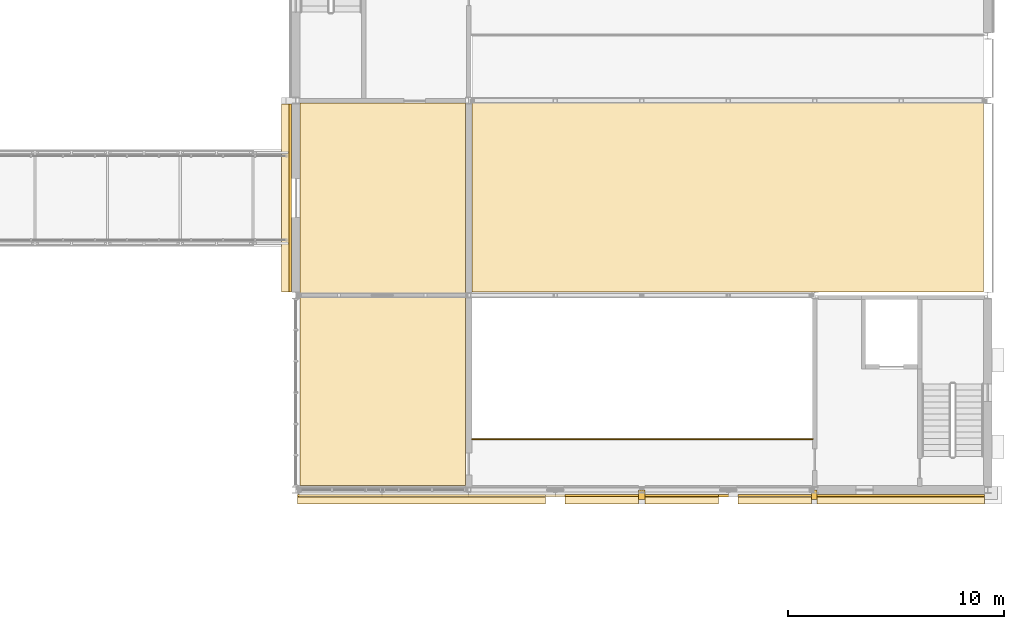
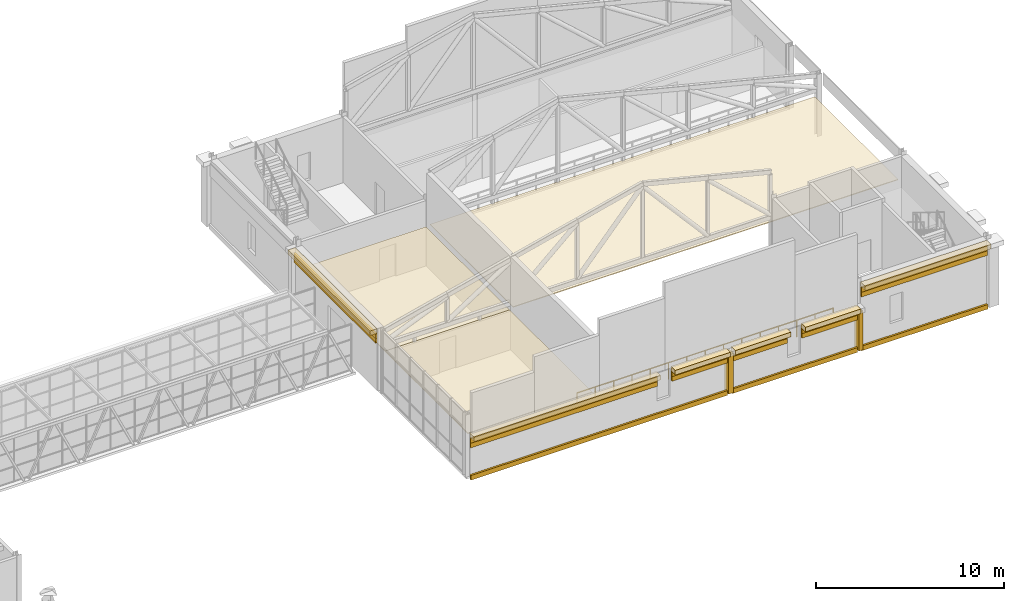
# One storey, part 144 of 149: 26 coverings, 1 railing.
"""IFC4 building model written with IfcOpenShell, lengths in metres."""

from ifc_helpers import new_model, si_unit, direction, frame, origin, origin_2d, place, context, subcontext, project, spatial, rectangle, circle, extrude, material, layer, layer_set, type_object, element, save


model = new_model("IFC4")

# Units and contexts
model_context = context("Model", 3, precision=1e-05, world=origin(), true_north=direction((0.0, 1.0)))
body_context = subcontext(model_context, "Body", "Model", "MODEL_VIEW")
ifc_project = project(units=[si_unit("LENGTHUNIT", "METRE"), si_unit("AREAUNIT", "SQUARE_METRE"), si_unit("VOLUMEUNIT", "CUBIC_METRE"), si_unit("PLANEANGLEUNIT", "RADIAN"), si_unit("MASSUNIT", "GRAM", prefix="KILO")], contexts=[model_context])

# Site, building, storey
site_placement = place(None, origin())
site = spatial("IfcSite", under=ifc_project, at=site_placement, CompositionType="ELEMENT")
building_placement = place(site_placement, origin())
building = spatial("IfcBuilding", under=site, at=building_placement, Name="Kallimachos Central Library", CompositionType="ELEMENT")
storey_placement = place(building_placement, frame((0.0, 0.0, 9.89990234375)))
storey = spatial("IfcBuildingStorey", under=building, at=storey_placement, Name="L02", CompositionType="ELEMENT", Elevation=9.89990234375)

# Coverings
ifc_material_1 = material(Name="Perforated plaster panel")
ifc_layer_1 = layer(ifc_material_1, 0.050048828125)
ifc_layer_set_1 = layer_set([ifc_layer_1], Name="Acoustic ceiling 50")
covering_type_1 = type_object("IfcCoveringType", Name="Acoustic ceiling 50", PredefinedType="CEILING", material=ifc_layer_set_1)
covering_1_placement = place(storey_placement, frame((157.97509765625, 100.574951171875, 2.5), z_axis=(0.0, 0.0, 1.0), x_axis=(1.0, 0.0, 0.0)))
element("IfcCovering", 1, at=covering_1_placement, inside=storey, type_object=covering_type_1, Name="Acoustic ceiling", PredefinedType="CEILING", context=body_context, shape_type="SweptSolid", body=[
    extrude(rectangle(XDim=23.64990234375, YDim=8.85009765625, at=origin_2d()), origin(), (0.0, 0.0, 1.0), 0.050048828125),
])
covering_2_placement = place(storey_placement, frame((142.02490234375, 91.60009765625, 2.5), z_axis=(0.0, 0.0, 1.0), x_axis=(1.0, 0.0, 0.0)))
element("IfcCovering", 2, at=covering_2_placement, inside=storey, type_object=covering_type_1, Name="Acoustic ceiling", PredefinedType="CEILING", context=body_context, shape_type="SweptSolid", body=[
    extrude(rectangle(XDim=7.64990234375, YDim=8.800048828125, at=origin_2d()), origin(), (0.0, 0.0, 1.0), 0.050048828125),
])
covering_3_placement = place(storey_placement, frame((142.02490234375, 100.449951171875, 2.5), z_axis=(0.0, 0.0, 1.0), x_axis=(1.0, 0.0, 0.0)))
element("IfcCovering", 3, at=covering_3_placement, inside=storey, type_object=covering_type_1, Name="Acoustic ceiling", PredefinedType="CEILING", context=body_context, shape_type="SweptSolid", body=[
    extrude(rectangle(XDim=7.64990234375, YDim=8.89990234375, at=origin_2d()), origin(), (0.0, 0.0, 1.0), 0.050048828125),
])

# Railing
ifc_material_2 = material(Name="Wrought iron")
railing_type = type_object("IfcRailingType", Name="Balcony guard 1100", PredefinedType="GUARDRAIL", material=ifc_material_2)
railing_placement = place(storey_placement, frame((146.14990234375, 89.35009765625, 0.0)))
element("IfcRailing", 4, at=railing_placement, inside=storey, type_object=railing_type, Name="Stage gallery guard L02", PredefinedType="GUARDRAIL", context=body_context, shape_type="SweptSolid", body=[
    extrude(circle(Radius=0.02392578125, at=origin_2d()), frame((0.0, 0.0, 1.076171875), z_axis=(1.0, 0.0, 0.0), x_axis=(0.0, 1.0, 0.0)), (0.0, 0.0, 1.0), 15.75),
    extrude(circle(Radius=0.02099609375, at=origin_2d()), origin(), (0.0, 0.0, 1.0), 1.052001953125),
    extrude(circle(Radius=0.02099609375, at=origin_2d()), frame((1.125, 0.0, 0.0)), (0.0, 0.0, 1.0), 1.052001953125),
    extrude(circle(Radius=0.02099609375, at=origin_2d()), frame((2.25, 0.0, 0.0)), (0.0, 0.0, 1.0), 1.052001953125),
    extrude(circle(Radius=0.02099609375, at=origin_2d()), frame((3.375, 0.0, 0.0)), (0.0, 0.0, 1.0), 1.052001953125),
    extrude(circle(Radius=0.02099609375, at=origin_2d()), frame((4.5, 0.0, 0.0)), (0.0, 0.0, 1.0), 1.052001953125),
    extrude(circle(Radius=0.02099609375, at=origin_2d()), frame((5.625, 0.0, 0.0)), (0.0, 0.0, 1.0), 1.052001953125),
    extrude(circle(Radius=0.02099609375, at=origin_2d()), frame((6.75, 0.0, 0.0)), (0.0, 0.0, 1.0), 1.052001953125),
    extrude(circle(Radius=0.02099609375, at=origin_2d()), frame((7.875, 0.0, 0.0)), (0.0, 0.0, 1.0), 1.052001953125),
    extrude(circle(Radius=0.02099609375, at=origin_2d()), frame((9.0, 0.0, 0.0)), (0.0, 0.0, 1.0), 1.052001953125),
    extrude(circle(Radius=0.02099609375, at=origin_2d()), frame((10.125, 0.0, 0.0)), (0.0, 0.0, 1.0), 1.052001953125),
    extrude(circle(Radius=0.02099609375, at=origin_2d()), frame((11.25, 0.0, 0.0)), (0.0, 0.0, 1.0), 1.052001953125),
    extrude(circle(Radius=0.02099609375, at=origin_2d()), frame((12.375, 0.0, 0.0)), (0.0, 0.0, 1.0), 1.052001953125),
    extrude(circle(Radius=0.02099609375, at=origin_2d()), frame((13.5, 0.0, 0.0)), (0.0, 0.0, 1.0), 1.052001953125),
    extrude(circle(Radius=0.02099609375, at=origin_2d()), frame((14.625, 0.0, 0.0)), (0.0, 0.0, 1.0), 1.052001953125),
    extrude(circle(Radius=0.02099609375, at=origin_2d()), frame((15.75, 0.0, 0.0)), (0.0, 0.0, 1.0), 1.052001953125),
])

# Coverings
ifc_material_3 = material(Name="Glazed ceramic frieze, green")
ifc_layer_2 = layer(ifc_material_3, 0.10009765625)
ifc_layer_set_2 = layer_set([ifc_layer_2], Name="Glazed ceramic frieze, green")
covering_type_2 = type_object("IfcCoveringType", Name="Glazed ceramic frieze, green", PredefinedType="CLADDING", material=ifc_layer_set_2)
covering_4_placement = place(storey_placement, frame((137.75, 100.5, 3.43017578125), z_axis=(0.0, 0.0, 1.0), x_axis=(1.0, 0.0, 0.0)))
element("IfcCovering", 5, at=covering_4_placement, inside=storey, type_object=covering_type_2, Name="Glazed ceramic frieze, green -L02-001", PredefinedType="CLADDING", context=body_context, shape_type="SweptSolid", body=[
    extrude(rectangle(XDim=0.10009765625, YDim=8.699951171875, at=origin_2d()), origin(), (0.0, 0.0, 1.0), 0.300048828125),
])
covering_5_placement = place(storey_placement, frame((143.820068359375, 86.75, 2.22998046875), z_axis=(0.0, 0.0, 1.0), x_axis=(1.0, 0.0, 0.0)))
element("IfcCovering", 6, at=covering_5_placement, inside=storey, type_object=covering_type_2, Name="Glazed ceramic frieze, green -L02-005", PredefinedType="CLADDING", context=body_context, shape_type="SweptSolid", body=[
    extrude(rectangle(XDim=11.4599609375, YDim=0.10009765625, at=origin_2d()), origin(), (0.0, 0.0, 1.0), 0.300048828125),
])
for number, where, z_axis, x_axis, name in (
    (7, (152.14990234375, 86.75, 2.22998046875), (0.0, 0.0, 1.0), (1.0, 0.0, 0.0), "Glazed ceramic frieze, green -L02-005"),
    (8, (155.85009765625, 86.75, 2.22998046875), (0.0, 0.0, 1.0), (1.0, 0.0, 0.0), "Glazed ceramic frieze, green -L02-006"),
    (9, (160.14990234375, 86.75, 2.22998046875), (0.0, 0.0, 1.0), (1.0, 0.0, 0.0), "Glazed ceramic frieze, green -L02-006"),
):
    element("IfcCovering", number, at=place(storey_placement, frame(where, z_axis=z_axis, x_axis=x_axis)), inside=storey, type_object=covering_type_2, Name=name, PredefinedType="CLADDING", context=body_context, shape_type="SweptSolid", body=[
        extrude(rectangle(XDim=3.39990234375, YDim=0.10009765625, at=origin_2d()), origin(), (0.0, 0.0, 1.0), 0.300048828125),
    ])
covering_6_placement = place(storey_placement, frame((165.97509765625, 86.75, 3.6298828125), z_axis=(0.0, 0.0, 1.0), x_axis=(1.0, 0.0, 0.0)))
element("IfcCovering", 10, at=covering_6_placement, inside=storey, type_object=covering_type_2, Name="Glazed ceramic frieze, green -L02-007", PredefinedType="CLADDING", context=body_context, shape_type="SweptSolid", body=[
    extrude(rectangle(XDim=7.75, YDim=0.10009765625, at=origin_2d()), origin(), (0.0, 0.0, 1.0), 0.300048828125),
])
ifc_material_4 = material(Name="Glazed ceramic frieze, ochre")
ifc_layer_3 = layer(ifc_material_4, 0.10009765625)
ifc_layer_set_3 = layer_set([ifc_layer_3], Name="Glazed ceramic frieze, ochre")
covering_type_3 = type_object("IfcCoveringType", Name="Glazed ceramic frieze, ochre", PredefinedType="CLADDING", material=ifc_layer_set_3)
covering_7_placement = place(storey_placement, frame((137.75, 100.5, 3.1298828125), z_axis=(0.0, 0.0, 1.0), x_axis=(1.0, 0.0, 0.0)))
element("IfcCovering", 11, at=covering_7_placement, inside=storey, type_object=covering_type_3, Name="Glazed ceramic frieze, ochre -L02-001", PredefinedType="CLADDING", context=body_context, shape_type="SweptSolid", body=[
    extrude(rectangle(XDim=0.10009765625, YDim=8.699951171875, at=origin_2d()), origin(), (0.0, 0.0, 1.0), 0.300048828125),
])
covering_8_placement = place(storey_placement, frame((143.820068359375, 86.75, 1.93017578125), z_axis=(0.0, 0.0, 1.0), x_axis=(1.0, 0.0, 0.0)))
element("IfcCovering", 12, at=covering_8_placement, inside=storey, type_object=covering_type_3, Name="Glazed ceramic frieze, ochre -L02-005", PredefinedType="CLADDING", context=body_context, shape_type="SweptSolid", body=[
    extrude(rectangle(XDim=11.4599609375, YDim=0.10009765625, at=origin_2d()), origin(), (0.0, 0.0, 1.0), 0.300048828125),
])
for number, where, z_axis, x_axis, name in (
    (13, (152.14990234375, 86.75, 1.93017578125), (0.0, 0.0, 1.0), (1.0, 0.0, 0.0), "Glazed ceramic frieze, ochre -L02-005"),
    (14, (155.85009765625, 86.75, 1.93017578125), (0.0, 0.0, 1.0), (1.0, 0.0, 0.0), "Glazed ceramic frieze, ochre -L02-006"),
    (15, (160.14990234375, 86.75, 1.93017578125), (0.0, 0.0, 1.0), (1.0, 0.0, 0.0), "Glazed ceramic frieze, ochre -L02-006"),
):
    element("IfcCovering", number, at=place(storey_placement, frame(where, z_axis=z_axis, x_axis=x_axis)), inside=storey, type_object=covering_type_3, Name=name, PredefinedType="CLADDING", context=body_context, shape_type="SweptSolid", body=[
        extrude(rectangle(XDim=3.39990234375, YDim=0.10009765625, at=origin_2d()), origin(), (0.0, 0.0, 1.0), 0.300048828125),
    ])
covering_9_placement = place(storey_placement, frame((165.97509765625, 86.75, 3.330078125), z_axis=(0.0, 0.0, 1.0), x_axis=(1.0, 0.0, 0.0)))
element("IfcCovering", 16, at=covering_9_placement, inside=storey, type_object=covering_type_3, Name="Glazed ceramic frieze, ochre -L02-007", PredefinedType="CLADDING", context=body_context, shape_type="SweptSolid", body=[
    extrude(rectangle(XDim=7.75, YDim=0.10009765625, at=origin_2d()), origin(), (0.0, 0.0, 1.0), 0.300048828125),
])
ifc_material_5 = material(Name="Pentelic marble attic moulding", Category="masonry")
ifc_layer_4 = layer(ifc_material_5, 0.1201171875)
ifc_layer_set_4 = layer_set([ifc_layer_4], Name="Stone attic moulding 300")
covering_type_4 = type_object("IfcCoveringType", Name="Stone attic moulding 300", PredefinedType="MOLDING", material=ifc_layer_set_4)
covering_10_placement = place(storey_placement, frame((145.969970703125, 86.739990234375, -0.14990234375), z_axis=(0.0, 0.0, 1.0), x_axis=(1.0, 0.0, 0.0)))
element("IfcCovering", 17, at=covering_10_placement, inside=storey, type_object=covering_type_4, Name="Stone attic moulding 300 -L02-005", PredefinedType="MOLDING", context=body_context, shape_type="SweptSolid", body=[
    extrude(rectangle(XDim=15.760009765625, YDim=0.1201171875, at=origin_2d()), origin(), (0.0, 0.0, 1.0), 0.300048828125),
])
covering_11_placement = place(storey_placement, frame((158.0, 86.739990234375, -0.14990234375), z_axis=(0.0, 0.0, 1.0), x_axis=(1.0, 0.0, 0.0)))
element("IfcCovering", 18, at=covering_11_placement, inside=storey, type_object=covering_type_4, Name="Stone attic moulding 300 -L02-006", PredefinedType="MOLDING", context=body_context, shape_type="SweptSolid", body=[
    extrude(rectangle(XDim=7.699951171875, YDim=0.1201171875, at=origin_2d()), origin(), (0.0, 0.0, 1.0), 0.300048828125),
])
covering_12_placement = place(storey_placement, frame((165.97509765625, 86.739990234375, -0.14990234375), z_axis=(0.0, 0.0, 1.0), x_axis=(1.0, 0.0, 0.0)))
element("IfcCovering", 19, at=covering_12_placement, inside=storey, type_object=covering_type_4, Name="Stone attic moulding 300 -L02-007", PredefinedType="MOLDING", context=body_context, shape_type="SweptSolid", body=[
    extrude(rectangle(XDim=7.75, YDim=0.1201171875, at=origin_2d()), origin(), (0.0, 0.0, 1.0), 0.300048828125),
])
ifc_material_6 = material(Name="Pentelic marble cornice", Category="masonry")
ifc_layer_5 = layer(ifc_material_6, 0.449951171875)
ifc_layer_set_5 = layer_set([ifc_layer_5], Name="Stone cornice 450")
covering_type_5 = type_object("IfcCoveringType", Name="Stone cornice 450", PredefinedType="MOLDING", material=ifc_layer_set_5)
covering_13_placement = place(storey_placement, frame((137.574951171875, 100.5, 3.75), z_axis=(0.0, 0.0, 1.0), x_axis=(1.0, 0.0, 0.0)))
element("IfcCovering", 20, at=covering_13_placement, inside=storey, type_object=covering_type_5, Name="Stone cornice 450 -L02-001", PredefinedType="MOLDING", context=body_context, shape_type="SweptSolid", body=[
    extrude(rectangle(XDim=0.449951171875, YDim=8.699951171875, at=origin_2d()), origin(), (0.0, 0.0, 1.0), 0.300048828125),
])
covering_14_placement = place(storey_placement, frame((143.820068359375, 86.574951171875, 2.55029296875), z_axis=(0.0, 0.0, 1.0), x_axis=(1.0, 0.0, 0.0)))
element("IfcCovering", 21, at=covering_14_placement, inside=storey, type_object=covering_type_5, Name="Stone cornice 450 -L02-005", PredefinedType="MOLDING", context=body_context, shape_type="SweptSolid", body=[
    extrude(rectangle(XDim=11.4599609375, YDim=0.449951171875, at=origin_2d()), origin(), (0.0, 0.0, 1.0), 0.300048828125),
])
for number, where, z_axis, x_axis, name in (
    (22, (152.14990234375, 86.574951171875, 2.55029296875), (0.0, 0.0, 1.0), (1.0, 0.0, 0.0), "Stone cornice 450 -L02-005"),
    (23, (155.85009765625, 86.574951171875, 2.55029296875), (0.0, 0.0, 1.0), (1.0, 0.0, 0.0), "Stone cornice 450 -L02-006"),
    (24, (160.14990234375, 86.574951171875, 2.55029296875), (0.0, 0.0, 1.0), (1.0, 0.0, 0.0), "Stone cornice 450 -L02-006"),
):
    element("IfcCovering", number, at=place(storey_placement, frame(where, z_axis=z_axis, x_axis=x_axis)), inside=storey, type_object=covering_type_5, Name=name, PredefinedType="MOLDING", context=body_context, shape_type="SweptSolid", body=[
        extrude(rectangle(XDim=3.39990234375, YDim=0.449951171875, at=origin_2d()), origin(), (0.0, 0.0, 1.0), 0.300048828125),
    ])
covering_15_placement = place(storey_placement, frame((165.97509765625, 86.574951171875, 3.9501953125), z_axis=(0.0, 0.0, 1.0), x_axis=(1.0, 0.0, 0.0)))
element("IfcCovering", 25, at=covering_15_placement, inside=storey, type_object=covering_type_5, Name="Stone cornice 450 -L02-007", PredefinedType="MOLDING", context=body_context, shape_type="SweptSolid", body=[
    extrude(rectangle(XDim=7.75, YDim=0.449951171875, at=origin_2d()), origin(), (0.0, 0.0, 1.0), 0.300048828125),
])
ifc_material_7 = material(Name="Pentelic marble pilaster", Category="masonry")
ifc_layer_6 = layer(ifc_material_7, 0.25)
ifc_layer_set_6 = layer_set([ifc_layer_6], Name="Stone pilaster 250")
covering_type_6 = type_object("IfcCoveringType", Name="Stone pilaster 250", PredefinedType="CLADDING", material=ifc_layer_set_6)
covering_16_placement = place(storey_placement, frame((154.0, 86.77490234375, 0.0), z_axis=(0.0, 0.0, 1.0), x_axis=(1.0, 0.0, 0.0)))
element("IfcCovering", 26, at=covering_16_placement, inside=storey, type_object=covering_type_6, Name="Stone pilaster 250 -L02-005", PredefinedType="CLADDING", context=body_context, shape_type="SweptSolid", body=[
    extrude(rectangle(XDim=0.300048828125, YDim=0.449951171875, at=origin_2d()), origin(), (0.0, 0.0, 1.0), 2.550048828125),
])
covering_17_placement = place(storey_placement, frame((161.97509765625, 86.77490234375, 0.0), z_axis=(0.0, 0.0, 1.0), x_axis=(1.0, 0.0, 0.0)))
element("IfcCovering", 27, at=covering_17_placement, inside=storey, type_object=covering_type_6, Name="Stone pilaster 250 -L02-006", PredefinedType="CLADDING", context=body_context, shape_type="SweptSolid", body=[
    extrude(rectangle(XDim=0.25, YDim=0.449951171875, at=origin_2d()), origin(), (0.0, 0.0, 1.0), 2.550048828125),
])

save(model, "model.ifc")
